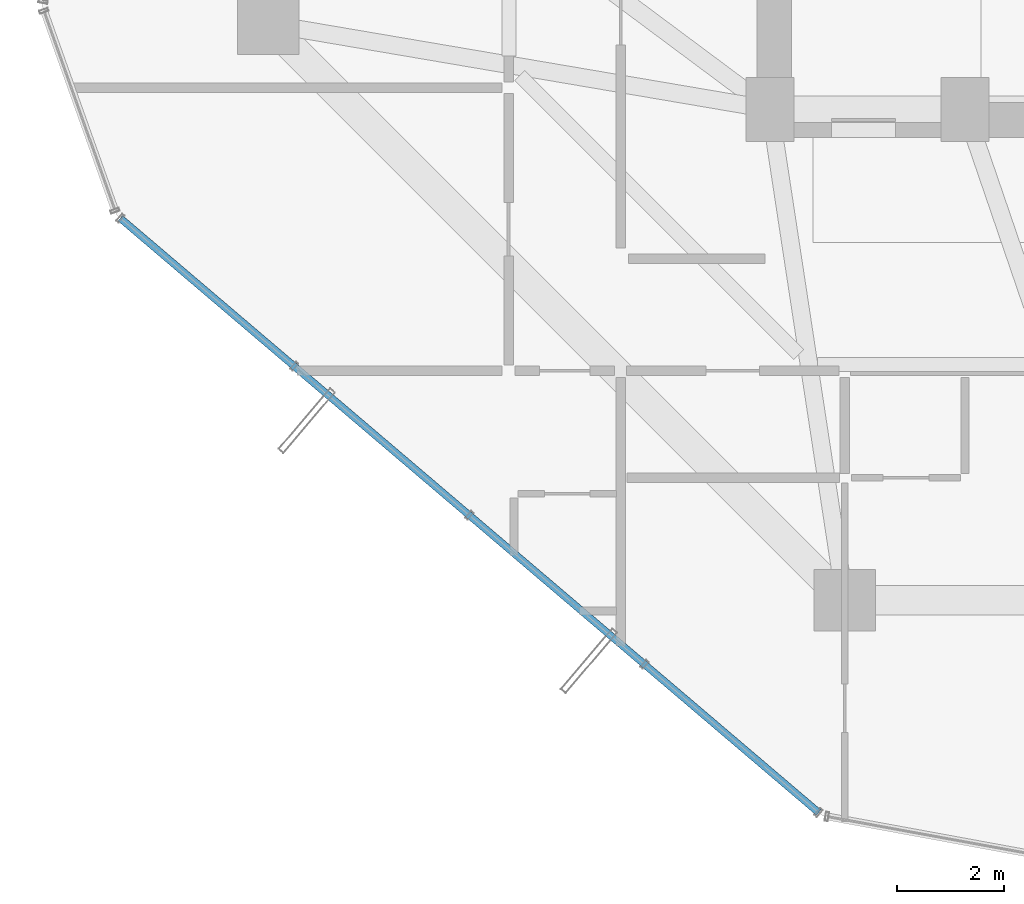
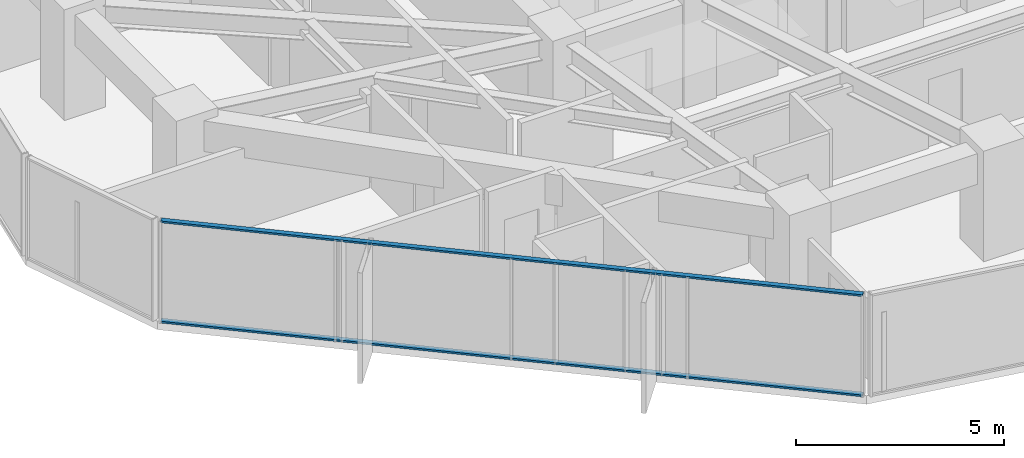
# One storey, part 3 of 33: 2 members, 1 element without a shape of its own.
"""IFC4 building model written with IfcOpenShell, lengths in metres."""

from ifc_helpers import new_model, si_unit, direction, frame, origin, origin_2d, place, context, subcontext, project, spatial, hollow_rectangle, extrude, source, transform, mapped, material, layer, layer_set, material_profile, profile_set, type_object, element, aggregate, save


model = new_model("IFC4")

# Units and contexts
model_context = context("Model", 3, precision=1e-05, world=origin(), true_north=direction((0.0, 1.0)))
body_context = subcontext(model_context, "Body", "Model", "MODEL_VIEW")
ifc_project = project(units=[si_unit("LENGTHUNIT", "METRE"), si_unit("AREAUNIT", "SQUARE_METRE"), si_unit("VOLUMEUNIT", "CUBIC_METRE"), si_unit("PLANEANGLEUNIT", "RADIAN"), si_unit("MASSUNIT", "GRAM", prefix="KILO")], contexts=[model_context])

# Site, building, storey
site_placement = place(None, origin())
site = spatial("IfcSite", under=ifc_project, at=site_placement, CompositionType="ELEMENT")
building_placement = place(site_placement, origin())
building = spatial("IfcBuilding", under=site, at=building_placement, Name="Veraguas Prism Commons", CompositionType="ELEMENT")
storey_placement = place(building_placement, frame((0.0, 0.0, 92.699951171875)))
storey = spatial("IfcBuildingStorey", under=building, at=storey_placement, Name="L25", CompositionType="ELEMENT", Elevation=92.699951171875)

# Curtain wall, members
ifc_material = material(Name="Anodised aluminium EN AW-6063 T6", Category="aluminium")
ifc_layer = layer(ifc_material, 0.169921875, Name="Unitised Flush Curtain Wall Zone 2", Category="aluminium")
ifc_layer_set = layer_set([ifc_layer], Name="Anodised aluminium EN AW-6063 T6")
curtain_wall_type = type_object("IfcCurtainWallType", Name="Unitised Flush Curtain Wall Zone 2", PredefinedType="NOTDEFINED", material=ifc_layer_set)
curtain_wall_placement = place(storey_placement, origin())
curtain_wall = element("IfcCurtainWall", 1, at=curtain_wall_placement, inside=storey, type_object=curtain_wall_type, Name="Tower Facade Curtain Wall L25-F4", PredefinedType="NOTDEFINED")
ifc_material_profile = material_profile(ifc_material, hollow_rectangle(XDim=0.054931640625, YDim=0.135009765625, WallThickness=0.0029296875, at=origin_2d()), Name="AL55X135X3")
ifc_profile_set = profile_set([ifc_material_profile], Name="Anodised aluminium EN AW-6063 T6")
member_type = type_object("IfcMemberType", Name="Curtain Wall Transom Standard AL 55x135x3", PredefinedType="USERDEFINED", material=ifc_profile_set)
shared_shape = source(origin(), body_context, "Body", "SweptSolid", [
    extrude(hollow_rectangle(XDim=0.054931640625, YDim=0.135009765625, WallThickness=0.0029296875, at=origin_2d()), origin(), (0.0, 0.0, 1.0), 17.17431640625),
])
member_1_placement = place(storey_placement, frame((5.02783203125, 14.957275390625, 0.027587890625), z_axis=(0.761547749441, -0.6481088067, 0.0), x_axis=(0.0, 0.0, 1.0)))
member_1 = element("IfcMember", 2, at=member_1_placement, type_object=member_type, Name="CW-Z2 Transom 1", ObjectType="TRANSOM", PredefinedType="USERDEFINED", context=body_context, shape_type="MappedRepresentation", body=[
    mapped(shared_shape, transform((0.0, 0.0, 0.0), scale=1.0)),
])
member_2_placement = place(storey_placement, frame((5.02783203125, 14.957275390625, 2.97265625), z_axis=(0.761547749441, -0.6481088067, 0.0), x_axis=(0.0, 0.0, 1.0)))
member_2 = element("IfcMember", 3, at=member_2_placement, type_object=member_type, Name="CW-Z2 Transom 2", ObjectType="TRANSOM", PredefinedType="USERDEFINED", context=body_context, shape_type="MappedRepresentation", body=[
    mapped(shared_shape, transform((0.0, 0.0, 0.0), scale=1.0)),
])
aggregate(curtain_wall, [member_1, member_2])

save(model, "model.ifc")
